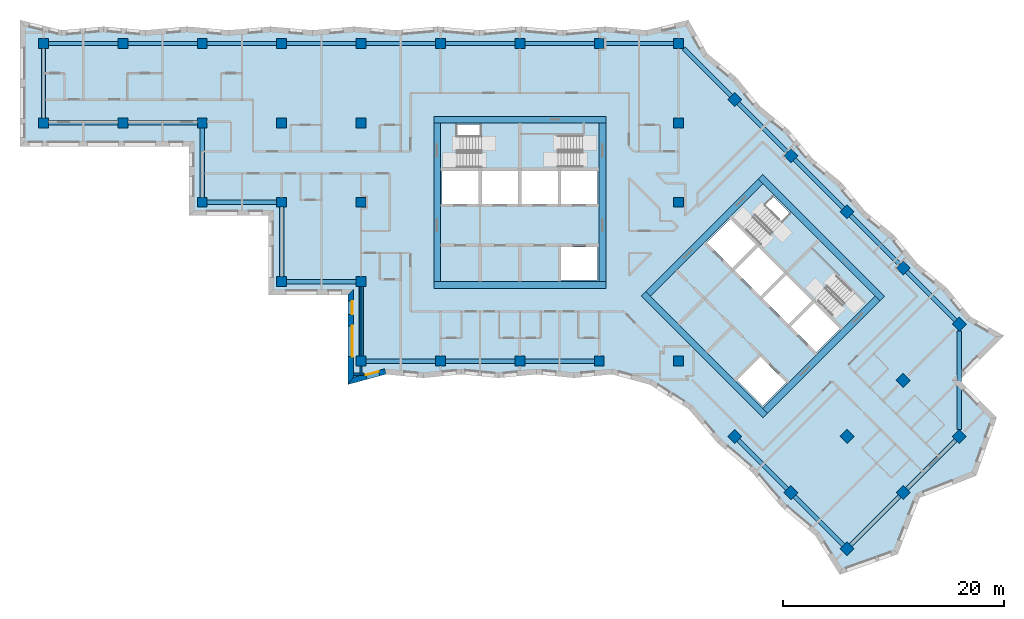
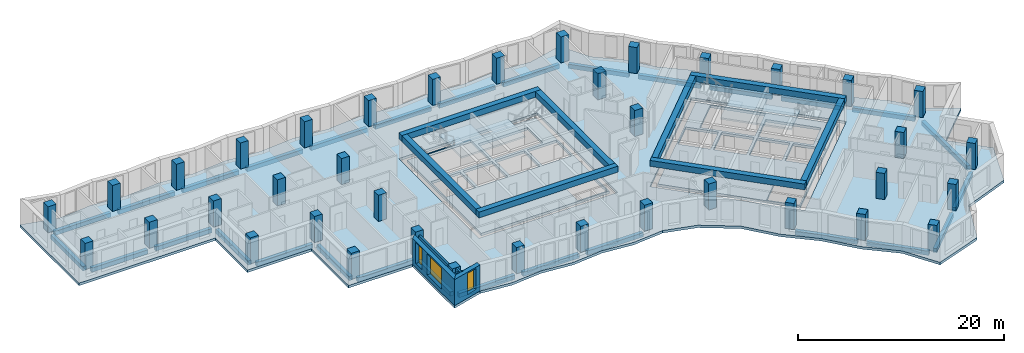
# One storey, part 1 of 12: 38 columns, 37 beams, 7 slabs, 5 walls, 3 windows, 19 openings, 4 elements without a shape of their own.
"""IFC4 building model written with IfcOpenShell, lengths in metres."""

from ifc_helpers import new_model, si_unit, direction, frame, frame_2d, origin, origin_2d, place, context, subcontext, project, spatial, polyline, rectangle, outline, extrude, material, layer, layer_set, material_profile, profile_set, type_object, element, fill, aggregate, save


model = new_model("IFC4")

# Units and contexts
model_context = context("Model", 3, precision=1e-05, world=origin(), true_north=direction((0.0, 1.0)))
body_context = subcontext(model_context, "Body", "Model", "MODEL_VIEW")
ifc_project = project(units=[si_unit("LENGTHUNIT", "METRE"), si_unit("AREAUNIT", "SQUARE_METRE"), si_unit("VOLUMEUNIT", "CUBIC_METRE"), si_unit("PLANEANGLEUNIT", "RADIAN"), si_unit("MASSUNIT", "GRAM", prefix="KILO")], contexts=[model_context])

# Site, building, storey
site_placement = place(None, origin())
site = spatial("IfcSite", under=ifc_project, at=site_placement, CompositionType="ELEMENT")
building_placement = place(site_placement, origin())
building = spatial("IfcBuilding", under=site, at=building_placement, Name="Windrow Commons", CompositionType="ELEMENT")
storey_placement = place(building_placement, frame((0.0, 0.0, 138.8)))
storey = spatial("IfcBuildingStorey", under=building, at=storey_placement, Name="L37", CompositionType="ELEMENT", Elevation=138.8)

# Columns
ifc_material_1 = material(Name="Concrete C50/60", Category="concrete")
ifc_material_profile_1 = material_profile(ifc_material_1, rectangle(XDim=0.9, YDim=0.9, at=origin_2d()))
ifc_profile_set_1 = profile_set([ifc_material_profile_1], Name="Concrete C50/60")
column_type = type_object("IfcColumnType", Name="RC COLUMN 900x900 C50/60", PredefinedType="COLUMN", material=ifc_profile_set_1)
for number, where, z_axis, x_axis, name in (
    (1, (21.6, 64.8, 0.0), (0.0, 0.0, 1.0), (1.0, 0.0, 0.0), "C-Z3-04I"),
    (2, (21.6, 72.0, 0.0), (0.0, 0.0, 1.0), (1.0, 0.0, 0.0), "C-Z3-04J"),
    (3, (28.8, 64.8, 0.0), (0.0, 0.0, 1.0), (1.0, 0.0, 0.0), "C-Z3-05I"),
    (4, (28.8, 72.0, 0.0), (0.0, 0.0, 1.0), (1.0, 0.0, 0.0), "C-Z3-05J"),
    (5, (36.0, 57.6, 0.0), (0.0, 0.0, 1.0), (1.0, 0.0, 0.0), "C-Z3-06H"),
    (6, (36.0, 64.8, 0.0), (0.0, 0.0, 1.0), (1.0, 0.0, 0.0), "C-Z3-06I"),
    (7, (36.0, 72.0, 0.0), (0.0, 0.0, 1.0), (1.0, 0.0, 0.0), "C-Z3-06J"),
    (8, (43.2, 50.4, 0.0), (0.0, 0.0, 1.0), (1.0, 0.0, 0.0), "C-Z3-07G"),
    (9, (43.2, 57.6, 0.0), (0.0, 0.0, 1.0), (1.0, 0.0, 0.0), "C-Z3-07H"),
    (10, (43.2, 64.8, 0.0), (0.0, 0.0, 1.0), (1.0, 0.0, 0.0), "C-Z3-07I"),
    (11, (43.2, 72.0, 0.0), (0.0, 0.0, 1.0), (1.0, 0.0, 0.0), "C-Z3-07J"),
    (12, (50.4, 43.2, 0.0), (0.0, 0.0, 1.0), (1.0, 0.0, 0.0), "C-Z3-08F"),
    (13, (50.4, 50.4, 0.0), (0.0, 0.0, 1.0), (1.0, 0.0, 0.0), "C-Z3-08G"),
    (14, (50.4, 57.6, 0.0), (0.0, 0.0, 1.0), (1.0, 0.0, 0.0), "C-Z3-08H"),
    (15, (50.4, 64.8, 0.0), (0.0, 0.0, 1.0), (1.0, 0.0, 0.0), "C-Z3-08I"),
    (16, (50.4, 72.0, 0.0), (0.0, 0.0, 1.0), (1.0, 0.0, 0.0), "C-Z3-08J"),
    (17, (57.6, 43.2, 0.0), (0.0, 0.0, 1.0), (1.0, 0.0, 0.0), "C-Z3-09F"),
    (18, (57.6, 72.0, 0.0), (0.0, 0.0, 1.0), (1.0, 0.0, 0.0), "C-Z3-09J"),
    (19, (64.8, 43.2, 0.0), (0.0, 0.0, 1.0), (1.0, 0.0, 0.0), "C-Z3-10F"),
    (20, (64.8, 72.0, 0.0), (0.0, 0.0, 1.0), (1.0, 0.0, 0.0), "C-Z3-10J"),
    (21, (72.0, 43.2, 0.0), (0.0, 0.0, 1.0), (1.0, 0.0, 0.0), "C-Z3-11F"),
    (22, (72.0, 72.0, 0.0), (0.0, 0.0, 1.0), (1.0, 0.0, 0.0), "C-Z3-11J"),
    (23, (79.2, 43.2, 0.0), (0.0, 0.0, 1.0), (1.0, 0.0, 0.0), "C-Z3-12F"),
    (24, (79.2, 57.6, 0.0), (0.0, 0.0, 1.0), (1.0, 0.0, 0.0), "C-Z3-12H"),
    (25, (79.2, 64.8, 0.0), (0.0, 0.0, 1.0), (1.0, 0.0, 0.0), "C-Z3-12I"),
    (26, (79.2, 72.0, 0.0), (0.0, 0.0, 1.0), (1.0, 0.0, 0.0), "C-Z3-12J"),
    (27, (84.2912, 66.9088, 0.0), (0.0, 0.0, 1.0), (0.7071067812, -0.7071067812, 0.0), "C-Z3-P2Q"),
    (28, (89.3823, 61.8177, 0.0), (0.0, 0.0, 1.0), (0.7071067812, -0.7071067812, 0.0), "C-Z3-P3Q"),
    (29, (94.4735, 56.7265, 0.0), (0.0, 0.0, 1.0), (0.7071067812, -0.7071067812, 0.0), "C-Z3-P4Q"),
    (30, (99.5647, 51.6353, 0.0), (0.0, 0.0, 1.0), (0.7071067812, -0.7071067812, 0.0), "C-Z3-P5Q"),
    (31, (84.2912, 36.3618, 0.0), (0.0, 0.0, 1.0), (0.7071067812, -0.7071067812, 0.0), "C-Z3-P5T"),
    (32, (104.6558, 46.5442, 0.0), (0.0, 0.0, 1.0), (0.7071067812, -0.7071067812, 0.0), "C-Z3-P6Q"),
    (33, (99.5647, 41.453, 0.0), (0.0, 0.0, 1.0), (0.7071067812, -0.7071067812, 0.0), "C-Z3-P6R"),
    (34, (94.4735, 36.3618, 0.0), (0.0, 0.0, 1.0), (0.7071067812, -0.7071067812, 0.0), "C-Z3-P6S"),
    (35, (89.3823, 31.2706, 0.0), (0.0, 0.0, 1.0), (0.7071067812, -0.7071067812, 0.0), "C-Z3-P6T"),
    (36, (104.6558, 36.3618, 0.0), (0.0, 0.0, 1.0), (0.7071067812, -0.7071067812, 0.0), "C-Z3-P7R"),
    (37, (99.5647, 31.2706, 0.0), (0.0, 0.0, 1.0), (0.7071067812, -0.7071067812, 0.0), "C-Z3-P7S"),
    (38, (94.4735, 26.1795, 0.0), (0.0, 0.0, 1.0), (0.7071067812, -0.7071067812, 0.0), "C-Z3-P7T"),
):
    element("IfcColumn", number, at=place(storey_placement, frame(where, z_axis=z_axis, x_axis=x_axis)), inside=storey, type_object=column_type, Name=name, PredefinedType="COLUMN", context=body_context, shape_type="SweptSolid", body=[
        extrude(rectangle(XDim=0.9, YDim=0.9, at=origin_2d()), origin(), (0.0, 0.0, 1.0), 3.1),
    ])

# Beams
ifc_material_2 = material(Name="Concrete C50/60", Category="concrete")
ifc_material_profile_2 = material_profile(ifc_material_2, rectangle(XDim=0.6, YDim=0.7, at=origin_2d()))
ifc_profile_set_2 = profile_set([ifc_material_profile_2], Name="Concrete C50/60")
beam_type_1 = type_object("IfcBeamType", Name="RC COUPLING BEAM 600x700 C50/60", PredefinedType="LINTEL", material=ifc_profile_set_2)
for number, where, z_axis, x_axis, name in (
    (39, (57.0, 50.1, 2.75), (1.0, 0.0, 0.0), (0.0, 1.0, 0.0), "Core A coupling beam outer-S"),
    (40, (57.0, 65.1, 2.75), (1.0, 0.0, 0.0), (0.0, 1.0, 0.0), "Core A coupling beam outer-N"),
):
    element("IfcBeam", number, at=place(storey_placement, frame(where, z_axis=z_axis, x_axis=x_axis)), inside=storey, type_object=beam_type_1, Name=name, PredefinedType="LINTEL", context=body_context, shape_type="SweptSolid", body=[
        extrude(rectangle(XDim=0.6, YDim=0.7, at=origin_2d()), origin(), (0.0, 0.0, 1.0), 15.6),
    ])
for number, where, z_axis, x_axis, name in (
    (41, (57.3, 50.4, 2.75), (0.0, 1.0, 0.0), (-1.0, 0.0, 0.0), "Core A coupling beam outer-W"),
    (42, (72.3, 50.4, 2.75), (0.0, 1.0, 0.0), (-1.0, 0.0, 0.0), "Core A coupling beam outer-E"),
):
    element("IfcBeam", number, at=place(storey_placement, frame(where, z_axis=z_axis, x_axis=x_axis)), inside=storey, type_object=beam_type_1, Name=name, PredefinedType="LINTEL", context=body_context, shape_type="SweptSolid", body=[
        extrude(rectangle(XDim=0.6, YDim=0.7, at=origin_2d()), origin(), (0.0, 0.0, 1.0), 14.4),
    ])
for number, where, z_axis, x_axis, name in (
    (43, (76.018, 49.3019, 2.75), (0.7071067812, -0.7071067812, 0.0), (0.7071067812, 0.7071067812, 0.0), "Core B coupling beam outer-S"),
    (44, (86.6246, 59.9085, 2.75), (0.7071067812, -0.7071067812, 0.0), (0.7071067812, 0.7071067812, 0.0), "Core B coupling beam outer-N"),
):
    element("IfcBeam", number, at=place(storey_placement, frame(where, z_axis=z_axis, x_axis=x_axis)), inside=storey, type_object=beam_type_1, Name=name, PredefinedType="LINTEL", context=body_context, shape_type="SweptSolid", body=[
        extrude(rectangle(XDim=0.6, YDim=0.7, at=origin_2d()), origin(), (0.0, 0.0, 1.0), 15.6),
    ])
for number, where, z_axis, x_axis, name in (
    (45, (76.4423, 49.3019, 2.75), (0.7071067812, 0.7071067812, 0.0), (-0.7071067812, 0.7071067812, 0.0), "Core B coupling beam outer-W"),
    (46, (87.0489, 38.6953, 2.75), (0.7071067812, 0.7071067812, 0.0), (-0.7071067812, 0.7071067812, 0.0), "Core B coupling beam outer-E"),
):
    element("IfcBeam", number, at=place(storey_placement, frame(where, z_axis=z_axis, x_axis=x_axis)), inside=storey, type_object=beam_type_1, Name=name, PredefinedType="LINTEL", context=body_context, shape_type="SweptSolid", body=[
        extrude(rectangle(XDim=0.6, YDim=0.7, at=origin_2d()), origin(), (0.0, 0.0, 1.0), 14.3999),
    ])
ifc_material_3 = material(Name="Concrete C50/60", Category="concrete")
ifc_material_profile_3 = material_profile(ifc_material_3, rectangle(XDim=0.4, YDim=0.5, at=origin_2d()))
ifc_profile_set_3 = profile_set([ifc_material_profile_3], Name="Concrete C50/60")
beam_type_2 = type_object("IfcBeamType", Name="RC EDGE BEAM 400x500 C50/60", PredefinedType="SPANDREL", material=ifc_profile_set_3)
for number, where, z_axis, x_axis, name in (
    (47, (36.0, 58.05, -0.55), (0.0, 1.0, 0.0), (-1.0, 0.0, 0.0), "Edge beam L37 001"),
    (48, (35.55, 64.8, -0.55), (-1.0, 0.0, 0.0), (0.0, -1.0, 0.0), "Edge beam L37 002"),
    (49, (28.35, 64.8, -0.55), (-1.0, 0.0, 0.0), (0.0, -1.0, 0.0), "Edge beam L37 003"),
    (50, (21.6, 65.25, -0.55), (0.0, 1.0, 0.0), (-1.0, 0.0, 0.0), "Edge beam L37 004"),
    (51, (22.05, 72.0, -0.55), (1.0, 0.0, 0.0), (0.0, 1.0, 0.0), "Edge beam L37 005"),
    (52, (29.25, 72.0, -0.55), (1.0, 0.0, 0.0), (0.0, 1.0, 0.0), "Edge beam L37 006"),
    (53, (36.45, 72.0, -0.55), (1.0, 0.0, 0.0), (0.0, 1.0, 0.0), "Edge beam L37 007"),
    (54, (43.65, 72.0, -0.55), (1.0, 0.0, 0.0), (0.0, 1.0, 0.0), "Edge beam L37 008"),
    (55, (50.85, 72.0, -0.55), (1.0, 0.0, 0.0), (0.0, 1.0, 0.0), "Edge beam L37 009"),
    (56, (58.05, 72.0, -0.55), (1.0, 0.0, 0.0), (0.0, 1.0, 0.0), "Edge beam L37 010"),
    (57, (65.25, 72.0, -0.55), (1.0, 0.0, 0.0), (0.0, 1.0, 0.0), "Edge beam L37 011"),
    (58, (72.45, 72.0, -0.55), (1.0, 0.0, 0.0), (0.0, 1.0, 0.0), "Edge beam L37 012"),
):
    element("IfcBeam", number, at=place(storey_placement, frame(where, z_axis=z_axis, x_axis=x_axis)), inside=storey, type_object=beam_type_2, Name=name, PredefinedType="SPANDREL", context=body_context, shape_type="SweptSolid", body=[
        extrude(rectangle(XDim=0.4, YDim=0.5, at=origin_2d()), origin(), (0.0, 0.0, 1.0), 6.3),
    ])
beam_1_placement = place(storey_placement, frame((79.65, 71.55, -0.55), z_axis=(0.7071067812, -0.7071067812, 0.0), x_axis=(0.7071067812, 0.7071067812, 0.0)))
element("IfcBeam", 59, at=beam_1_placement, inside=storey, type_object=beam_type_2, Name="Edge beam L37 013", PredefinedType="SPANDREL", context=body_context, shape_type="SweptSolid", body=[
    extrude(rectangle(XDim=0.4, YDim=0.5, at=origin_2d()), origin(), (0.0, 0.0, 1.0), 6.1136),
])
beam_2_placement = place(storey_placement, frame((84.6094, 66.5906, -0.55), z_axis=(0.7071067812, -0.7071067812, 0.0), x_axis=(0.7071067812, 0.7071067812, 0.0)))
element("IfcBeam", 60, at=beam_2_placement, inside=storey, type_object=beam_type_2, Name="Edge beam L37 014", PredefinedType="SPANDREL", context=body_context, shape_type="SweptSolid", body=[
    extrude(rectangle(XDim=0.4, YDim=0.5, at=origin_2d()), origin(), (0.0, 0.0, 1.0), 6.2999),
])
for number, where, z_axis, x_axis, name in (
    (61, (89.7005, 61.4995, -0.55), (0.7071067812, -0.7071067812, 0.0), (0.7071067812, 0.7071067812, 0.0), "Edge beam L37 015"),
    (62, (94.7917, 56.4083, -0.55), (0.7071067812, -0.7071067812, 0.0), (0.7071067812, 0.7071067812, 0.0), "Edge beam L37 016"),
):
    element("IfcBeam", number, at=place(storey_placement, frame(where, z_axis=z_axis, x_axis=x_axis)), inside=storey, type_object=beam_type_2, Name=name, PredefinedType="SPANDREL", context=body_context, shape_type="SweptSolid", body=[
        extrude(rectangle(XDim=0.4, YDim=0.5, at=origin_2d()), origin(), (0.0, 0.0, 1.0), 6.3),
    ])
beam_3_placement = place(storey_placement, frame((99.8829, 51.3171, -0.55), z_axis=(0.7071067812, -0.7071067812, 0.0), x_axis=(0.7071067812, 0.7071067812, 0.0)))
element("IfcBeam", 63, at=beam_3_placement, inside=storey, type_object=beam_type_2, Name="Edge beam L37 017", PredefinedType="SPANDREL", context=body_context, shape_type="SweptSolid", body=[
    extrude(rectangle(XDim=0.4, YDim=0.5, at=origin_2d()), origin(), (0.0, 0.0, 1.0), 6.2999),
])
beam_4_placement = place(storey_placement, frame((104.6558, 45.9078, -0.55), z_axis=(0.0, -1.0, 0.0), x_axis=(1.0, 0.0, 0.0)))
element("IfcBeam", 64, at=beam_4_placement, inside=storey, type_object=beam_type_2, Name="Edge beam L37 018", PredefinedType="SPANDREL", context=body_context, shape_type="SweptSolid", body=[
    extrude(rectangle(XDim=0.4, YDim=0.5, at=origin_2d()), origin(), (0.0, 0.0, 1.0), 8.9096),
])
for number, where, z_axis, x_axis, name in (
    (65, (104.3376, 36.0436, -0.55), (-0.7070988446, -0.7071147177, 0.0), (0.7071147177, -0.7070988446, 0.0), "Edge beam L37 019"),
    (66, (99.2465, 30.9524, -0.55), (-0.7071147177, -0.7070988446, 0.0), (0.7070988446, -0.7071147177, 0.0), "Edge beam L37 020"),
    (67, (94.1553, 26.4977, -0.55), (-0.7071147177, 0.7070988446, 0.0), (-0.7070988446, -0.7071147177, 0.0), "Edge beam L37 021"),
    (68, (89.0641, 31.5888, -0.55), (-0.7070988446, 0.7071147177, 0.0), (-0.7071147177, -0.7070988446, 0.0), "Edge beam L37 022"),
    (69, (71.55, 43.2, -0.55), (-1.0, 0.0, 0.0), (0.0, -1.0, 0.0), "Edge beam L37 023"),
    (70, (64.35, 43.2, -0.55), (-1.0, 0.0, 0.0), (0.0, -1.0, 0.0), "Edge beam L37 024"),
    (71, (57.15, 43.2, -0.55), (-1.0, 0.0, 0.0), (0.0, -1.0, 0.0), "Edge beam L37 025"),
    (72, (50.4, 43.65, -0.55), (0.0, 1.0, 0.0), (-1.0, 0.0, 0.0), "Edge beam L37 026"),
    (73, (49.95, 50.4, -0.55), (-1.0, 0.0, 0.0), (0.0, -1.0, 0.0), "Edge beam L37 027"),
    (74, (43.2, 50.85, -0.55), (0.0, 1.0, 0.0), (-1.0, 0.0, 0.0), "Edge beam L37 028"),
    (75, (42.75, 57.6, -0.55), (-1.0, 0.0, 0.0), (0.0, -1.0, 0.0), "Edge beam L37 029"),
):
    element("IfcBeam", number, at=place(storey_placement, frame(where, z_axis=z_axis, x_axis=x_axis)), inside=storey, type_object=beam_type_2, Name=name, PredefinedType="SPANDREL", context=body_context, shape_type="SweptSolid", body=[
        extrude(rectangle(XDim=0.4, YDim=0.5, at=origin_2d()), origin(), (0.0, 0.0, 1.0), 6.3),
    ])

# Slab, openings
ifc_material_4 = material(Name="Concrete C50/60", Category="concrete")
ifc_layer_1 = layer(ifc_material_4, 0.3)
ifc_layer_set_1 = layer_set([ifc_layer_1], Name="CORE FLOOR SLAB 300 C50/60")
slab_type_1 = type_object("IfcSlabType", Name="CORE FLOOR SLAB 300 C50/60", PredefinedType="FLOOR", material=ifc_layer_set_1)
placement_1 = place(storey_placement, frame((0.0, 0.0, -0.3)))
slab_1 = element("IfcSlab", 76, at=placement_1, inside=storey, type_object=slab_type_1, Name="S-L37-core-A", PredefinedType="FLOOR", context=body_context, shape_type="SweptSolid", body=[
    extrude(outline(polyline([(57.6, 50.4), (72.0, 50.4), (72.0, 64.8), (57.6, 64.8), (57.6, 50.4)]), holes=[polyline([(68.55, 50.55), (71.85, 50.55), (71.85, 53.55), (68.55, 53.55), (68.55, 50.55)]), polyline([(57.75, 57.45), (61.05, 57.45), (61.05, 60.45), (57.75, 60.45), (57.75, 57.45)]), polyline([(61.35, 57.45), (64.65, 57.45), (64.65, 60.45), (61.35, 60.45), (61.35, 57.45)]), polyline([(64.95, 57.45), (68.25, 57.45), (68.25, 60.45), (64.95, 60.45), (64.95, 57.45)]), polyline([(68.55, 57.45), (71.85, 57.45), (71.85, 60.45), (68.55, 60.45), (68.55, 57.45)]), polyline([(59.1, 60.75), (64.65, 60.75), (64.65, 64.65), (59.1, 64.65), (59.1, 60.75)]), polyline([(64.95, 60.75), (70.5, 60.75), (70.5, 63.705), (64.95, 63.705), (64.95, 60.75)])]), origin(), (0.0, 0.0, 1.0), 0.3),
])
opening_1_placement = place(placement_1, origin())
element("IfcOpeningElement", 77, at=opening_1_placement, cuts=slab_1, Name="Slab opening S-L37-core-A 1", PredefinedType="OPENING", context=body_context, shape_type="SweptSolid", body=[
    extrude(outline(polyline([(68.555, 50.555), (68.555, 53.545), (71.845, 53.545), (71.845, 50.555), (68.555, 50.555)])), origin(), (0.0, 0.0, 1.0), 0.3),
])
opening_2_placement = place(placement_1, origin())
element("IfcOpeningElement", 78, at=opening_2_placement, cuts=slab_1, Name="Slab opening S-L37-core-A 2", PredefinedType="OPENING", context=body_context, shape_type="SweptSolid", body=[
    extrude(outline(polyline([(57.755, 57.455), (57.755, 60.445), (61.045, 60.445), (61.045, 57.455), (57.755, 57.455)])), origin(), (0.0, 0.0, 1.0), 0.3),
])
opening_3_placement = place(placement_1, origin())
element("IfcOpeningElement", 79, at=opening_3_placement, cuts=slab_1, Name="Slab opening S-L37-core-A 3", PredefinedType="OPENING", context=body_context, shape_type="SweptSolid", body=[
    extrude(outline(polyline([(61.355, 57.455), (61.355, 60.445), (64.645, 60.445), (64.645, 57.455), (61.355, 57.455)])), origin(), (0.0, 0.0, 1.0), 0.3),
])
opening_4_placement = place(placement_1, origin())
element("IfcOpeningElement", 80, at=opening_4_placement, cuts=slab_1, Name="Slab opening S-L37-core-A 4", PredefinedType="OPENING", context=body_context, shape_type="SweptSolid", body=[
    extrude(outline(polyline([(64.955, 57.455), (64.955, 60.445), (68.245, 60.445), (68.245, 57.455), (64.955, 57.455)])), origin(), (0.0, 0.0, 1.0), 0.3),
])
opening_5_placement = place(placement_1, origin())
element("IfcOpeningElement", 81, at=opening_5_placement, cuts=slab_1, Name="Slab opening S-L37-core-A 5", PredefinedType="OPENING", context=body_context, shape_type="SweptSolid", body=[
    extrude(outline(polyline([(68.555, 57.455), (68.555, 60.445), (71.845, 60.445), (71.845, 57.455), (68.555, 57.455)])), origin(), (0.0, 0.0, 1.0), 0.3),
])
opening_6_placement = place(placement_1, origin())
element("IfcOpeningElement", 82, at=opening_6_placement, cuts=slab_1, Name="Slab opening S-L37-core-A 6", PredefinedType="OPENING", context=body_context, shape_type="SweptSolid", body=[
    extrude(outline(polyline([(59.105, 60.755), (59.105, 64.645), (64.645, 64.645), (64.645, 60.755), (59.105, 60.755)])), origin(), (0.0, 0.0, 1.0), 0.3),
])
opening_7_placement = place(placement_1, origin())
element("IfcOpeningElement", 83, at=opening_7_placement, cuts=slab_1, Name="Slab opening S-L37-core-A 7", PredefinedType="OPENING", context=body_context, shape_type="SweptSolid", body=[
    extrude(outline(polyline([(64.955, 60.755), (64.955, 63.7), (70.495, 63.7), (70.495, 60.755), (64.955, 60.755)])), origin(), (0.0, 0.0, 1.0), 0.3),
])

slab_2 = element("IfcSlab", 84, at=placement_1, inside=storey, type_object=slab_type_1, Name="S-L37-core-B", PredefinedType="FLOOR", context=body_context, shape_type="SweptSolid", body=[
    extrude(outline(polyline([(76.6544, 49.0897), (86.8368, 38.9074), (97.0191, 49.0897), (86.8368, 59.2721), (76.6544, 49.0897)]), holes=[polyline([(84.5033, 41.453), (86.8368, 39.1195), (88.9581, 41.2409), (86.6246, 43.5743), (84.5033, 41.453)]), polyline([(81.7456, 53.9688), (84.079, 51.6353), (86.2004, 53.7566), (83.8669, 56.0901), (81.7456, 53.9688)]), polyline([(84.2912, 51.4232), (86.6246, 49.0897), (88.7459, 51.2111), (86.4125, 53.5445), (84.2912, 51.4232)]), polyline([(86.8368, 48.8776), (89.1702, 46.5442), (91.2915, 48.6655), (88.9581, 50.9989), (86.8368, 48.8776)]), polyline([(89.3823, 46.332), (91.7158, 43.9986), (93.8371, 46.1199), (91.5037, 48.4533), (89.3823, 46.332)]), polyline([(85.0336, 55.3476), (88.9581, 51.4232), (91.7158, 54.1809), (87.7913, 58.1054), (85.0336, 55.3476)]), polyline([(89.1702, 51.2111), (93.0946, 47.2866), (95.1841, 49.3761), (91.2597, 53.3006), (89.1702, 51.2111)])]), origin(), (0.0, 0.0, 1.0), 0.3),
])
opening_8_placement = place(placement_1, origin())
element("IfcOpeningElement", 85, at=opening_8_placement, cuts=slab_2, Name="Slab opening S-L37-core-B 1", PredefinedType="OPENING", context=body_context, shape_type="SweptSolid", body=[
    extrude(outline(polyline([(84.5104, 41.453), (86.6246, 43.5672), (88.951, 41.2409), (86.8368, 39.1266), (84.5104, 41.453)])), origin(), (0.0, 0.0, 1.0), 0.3),
])
opening_9_placement = place(placement_1, origin())
element("IfcOpeningElement", 86, at=opening_9_placement, cuts=slab_2, Name="Slab opening S-L37-core-B 2", PredefinedType="OPENING", context=body_context, shape_type="SweptSolid", body=[
    extrude(outline(polyline([(81.7527, 53.9688), (83.8669, 56.083), (86.1933, 53.7566), (84.079, 51.6424), (81.7527, 53.9688)])), origin(), (0.0, 0.0, 1.0), 0.3),
])
opening_10_placement = place(placement_1, origin())
element("IfcOpeningElement", 87, at=opening_10_placement, cuts=slab_2, Name="Slab opening S-L37-core-B 3", PredefinedType="OPENING", context=body_context, shape_type="SweptSolid", body=[
    extrude(outline(polyline([(84.2983, 51.4232), (86.4125, 53.5374), (88.7388, 51.2111), (86.6246, 49.0968), (84.2983, 51.4232)])), origin(), (0.0, 0.0, 1.0), 0.3),
])
opening_11_placement = place(placement_1, origin())
element("IfcOpeningElement", 88, at=opening_11_placement, cuts=slab_2, Name="Slab opening S-L37-core-B 4", PredefinedType="OPENING", context=body_context, shape_type="SweptSolid", body=[
    extrude(outline(polyline([(86.8439, 48.8776), (88.9581, 50.9918), (91.2844, 48.6655), (89.1702, 46.5513), (86.8439, 48.8776)])), origin(), (0.0, 0.0, 1.0), 0.3),
])
opening_12_placement = place(placement_1, origin())
element("IfcOpeningElement", 89, at=opening_12_placement, cuts=slab_2, Name="Slab opening S-L37-core-B 5", PredefinedType="OPENING", context=body_context, shape_type="SweptSolid", body=[
    extrude(outline(polyline([(89.3894, 46.332), (91.5037, 48.4462), (93.83, 46.1199), (91.7158, 44.0057), (89.3894, 46.332)])), origin(), (0.0, 0.0, 1.0), 0.3),
])
opening_13_placement = place(placement_1, origin())
element("IfcOpeningElement", 90, at=opening_13_placement, cuts=slab_2, Name="Slab opening S-L37-core-B 6", PredefinedType="OPENING", context=body_context, shape_type="SweptSolid", body=[
    extrude(outline(polyline([(85.0407, 55.3476), (87.7913, 58.0983), (91.7087, 54.1809), (88.9581, 51.4303), (85.0407, 55.3476)])), origin(), (0.0, 0.0, 1.0), 0.3),
])
opening_14_placement = place(placement_1, origin())
element("IfcOpeningElement", 91, at=opening_14_placement, cuts=slab_2, Name="Slab opening S-L37-core-B 7", PredefinedType="OPENING", context=body_context, shape_type="SweptSolid", body=[
    extrude(outline(polyline([(89.1773, 51.2111), (91.2597, 53.2935), (95.177, 49.3761), (93.0946, 47.2937), (89.1773, 51.2111)])), origin(), (0.0, 0.0, 1.0), 0.3),
])

# Stair, slab
ifc_material_5 = material(Name="Concrete C40/50", Category="concrete")
stair_type = type_object("IfcStairType", Name="Core stair", PredefinedType="HALF_TURN_STAIR", material=ifc_material_5)
placement_2 = place(storey_placement, origin())
stair_1 = element("IfcStair", 92, at=placement_2, inside=storey, type_object=stair_type, Name="L37 Exit stair A1 core A", PredefinedType="HALF_TURN_STAIR")
ifc_material_6 = material(Name="Concrete C40/50", Category="concrete")
ifc_layer_2 = layer(ifc_material_6, 0.2)
ifc_layer_set_2 = layer_set([ifc_layer_2], Name="Core stair landing")
slab_type_2 = type_object("IfcSlabType", Name="Core stair landing", PredefinedType="LANDING", material=ifc_layer_set_2)
placement_3 = place(storey_placement, frame((0.0, 0.0, 1.5)))
slab_3 = element("IfcSlab", 93, at=placement_3, type_object=slab_type_2, Name="ST-A1 landing 1", PredefinedType="LANDING", context=body_context, shape_type="SweptSolid", body=[
    extrude(outline(polyline([(61.22, 60.5), (64.8, 60.5), (64.8, 64.9), (61.22, 64.9), (61.22, 60.5)])), origin(), (0.0, 0.0, 1.0), 0.2),
])
aggregate(stair_1, [slab_3])

stair_2 = element("IfcStair", 94, at=placement_2, inside=storey, type_object=stair_type, Name="L37 Exit stair A2 core A", PredefinedType="HALF_TURN_STAIR")
slab_4 = element("IfcSlab", 95, at=placement_3, type_object=slab_type_2, Name="ST-A2 landing 1", PredefinedType="LANDING", context=body_context, shape_type="SweptSolid", body=[
    extrude(outline(polyline([(64.8, 60.5), (68.38, 60.5), (68.38, 63.855), (64.8, 63.855), (64.8, 60.5)])), origin(), (0.0, 0.0, 1.0), 0.2),
])
aggregate(stair_2, [slab_4])

stair_3 = element("IfcStair", 96, at=placement_2, inside=storey, type_object=stair_type, Name="L37 Exit stair B1 core B", PredefinedType="HALF_TURN_STAIR")
slab_5 = element("IfcSlab", 97, at=placement_3, type_object=slab_type_2, Name="ST-B1 landing 1", PredefinedType="LANDING", context=body_context, shape_type="SweptSolid", body=[
    extrude(outline(polyline([(86.3559, 53.6718), (88.8874, 51.1403), (91.9986, 54.2516), (89.4672, 56.7831), (86.3559, 53.6718)])), origin(), (0.0, 0.0, 1.0), 0.2),
])
aggregate(stair_3, [slab_5])

stair_4 = element("IfcStair", 98, at=placement_2, inside=storey, type_object=stair_type, Name="L37 Exit stair B2 core B", PredefinedType="HALF_TURN_STAIR")
slab_6 = element("IfcSlab", 99, at=placement_3, type_object=slab_type_2, Name="ST-B2 landing 1", PredefinedType="LANDING", context=body_context, shape_type="SweptSolid", body=[
    extrude(outline(polyline([(88.8874, 51.1403), (91.4188, 48.6089), (93.7911, 50.9812), (91.2597, 53.5127), (88.8874, 51.1403)])), origin(), (0.0, 0.0, 1.0), 0.2),
])
aggregate(stair_4, [slab_6])

# Slab, openings
ifc_material_7 = material(Name="Concrete C50/60", Category="concrete")
ifc_layer_3 = layer(ifc_material_7, 0.3)
ifc_layer_set_3 = layer_set([ifc_layer_3], Name="FLOOR SLAB 300 C50/60")
slab_type_3 = type_object("IfcSlabType", Name="FLOOR SLAB 300 C50/60", PredefinedType="FLOOR", material=ifc_layer_set_3)
slab_7 = element("IfcSlab", 100, at=placement_1, inside=storey, type_object=slab_type_3, Name="S-L37-floor", PredefinedType="FLOOR", context=body_context, shape_type="SweptSolid", body=[
    extrude(outline(polyline([(91.5993, 27.3566), (93.8159, 23.8248), (99.0715, 25.6863), (101.0744, 30.8004), (106.1885, 32.8033), (108.05, 38.0589), (104.6558, 41.453), (108.7076, 45.5047), (105.6646, 47.2325), (103.5125, 49.8513), (100.8937, 52.0034), (98.7416, 54.6222), (96.1228, 56.7743), (93.9707, 59.3931), (91.3519, 61.5452), (89.1998, 64.164), (86.581, 66.3161), (84.4289, 68.9349), (81.8102, 71.0869), (80.0823, 74.13), (76.294, 73.2), (72.5058, 73.53), (68.7175, 73.2), (64.9292, 73.53), (61.141, 73.2), (57.3527, 73.53), (53.5644, 73.2), (49.7762, 73.53), (45.9879, 73.2), (42.1996, 73.53), (38.4113, 73.2), (34.6231, 73.53), (30.8348, 73.2), (27.0465, 73.53), (23.2583, 73.2), (19.47, 74.13), (19.47, 62.67), (34.8, 62.67), (34.8, 56.4), (42.0, 56.4), (42.0, 49.2), (49.2, 49.2), (49.2, 41.07), (52.6213, 42.0), (56.0427, 41.67), (59.464, 42.0), (62.8853, 41.67), (66.3067, 42.0), (69.728, 41.67), (73.1493, 42.0), (76.5707, 41.07), (80.1025, 38.8534), (82.7433, 35.7459), (85.8509, 33.105), (88.4918, 29.9975), (91.5993, 27.3566)]), holes=[polyline([(75.8059, 49.0897), (86.8368, 60.1206), (97.8676, 49.0897), (86.8368, 38.0589), (75.8059, 49.0897)]), polyline([(57.0, 49.8), (57.0, 65.4), (72.6, 65.4), (72.6, 49.8), (57.0, 49.8)])]), origin(), (0.0, 0.0, 1.0), 0.3),
])
opening_15_placement = place(placement_1, origin())
element("IfcOpeningElement", 101, at=opening_15_placement, cuts=slab_7, Name="Slab opening S-L37-floor 1", PredefinedType="OPENING", context=body_context, shape_type="SweptSolid", body=[
    extrude(outline(polyline([(75.813, 49.0897), (86.8368, 60.1135), (97.8605, 49.0897), (86.8368, 38.066), (75.813, 49.0897)])), origin(), (0.0, 0.0, 1.0), 0.3),
])
opening_16_placement = place(placement_1, origin())
element("IfcOpeningElement", 102, at=opening_16_placement, cuts=slab_7, Name="Slab opening S-L37-floor 2", PredefinedType="OPENING", context=body_context, shape_type="SweptSolid", body=[
    extrude(outline(polyline([(57.005, 49.805), (57.005, 65.395), (72.595, 65.395), (72.595, 49.805), (57.005, 49.805)])), origin(), (0.0, 0.0, 1.0), 0.3),
])

# Wall, openings, windows
ifc_material_8 = material(Name="Brick masonry, red clay brick", Category="masonry")
ifc_layer_4 = layer(ifc_material_8, 0.5)
ifc_layer_set_4 = layer_set([ifc_layer_4], Name="Brick facade wall 500")
wall_type_1 = type_object("IfcWallType", Name="Brick facade wall 500", PredefinedType="SOLIDWALL", material=ifc_layer_set_4)
wall_1_placement = place(storey_placement, frame((49.45, 49.45, 0.0), z_axis=(0.0, 0.0, 1.0), x_axis=(0.0, -1.0, 0.0)))
wall_1 = element("IfcWall", 103, at=wall_1_placement, inside=storey, type_object=wall_type_1, Name="Brick facade wall L37 41", PredefinedType="SOLIDWALL", context=body_context, shape_type="SweptSolid", body=[
    extrude(outline(polyline([(0.25, -0.25), (8.38, -0.25), (7.7259, 0.25), (-0.25, 0.25), (0.25, -0.25)])), origin(), (0.0, 0.0, 1.0), 3.1),
])
opening_17_placement = place(wall_1_placement, frame((3.05, 0.0, 0.45)))
opening_17 = element("IfcOpeningElement", 104, at=opening_17_placement, cuts=wall_1, Name="Opening W1U", PredefinedType="OPENING", context=body_context, shape_type="SweptSolid", body=[
    extrude(rectangle(XDim=2.8, YDim=2.5, at=frame_2d((1.4, 1.25))), frame((0.0, 0.26, 0.0), z_axis=(0.0, -1.0, 0.0), x_axis=(1.0, 0.0, 0.0)), (0.0, 0.0, 1.0), 0.52),
])
opening_18_placement = place(wall_1_placement, frame((0.825, 0.0, 0.45)))
opening_18 = element("IfcOpeningElement", 105, at=opening_18_placement, cuts=wall_1, Name="Opening W7E", PredefinedType="OPENING", context=body_context, shape_type="SweptSolid", body=[
    extrude(rectangle(XDim=1.2, YDim=2.5, at=frame_2d((0.6, 1.25))), frame((0.0, 0.26, 0.0), z_axis=(0.0, -1.0, 0.0), x_axis=(1.0, 0.0, 0.0)), (0.0, 0.0, 1.0), 0.52),
])
ifc_material_9 = material(Name="Clear float glass in anodised aluminium frame", Category="aluminium")
window_type_1 = type_object("IfcWindowType", Name="Window W1U bedroom 2800x2500", PartitioningType="SINGLE_PANEL", PredefinedType="WINDOW", material=ifc_material_9)
window_1_placement = place(opening_17_placement, origin())
window_1 = element("IfcWindow", 106, at=window_1_placement, inside=storey, type_object=window_type_1, Name="Window L37 41.1", OverallHeight=2.5, OverallWidth=2.8, PartitioningType="SINGLE_PANEL", PredefinedType="WINDOW", context=body_context, shape_type="SweptSolid", body=[
    extrude(rectangle(XDim=2.8, YDim=2.5, at=frame_2d((1.4, 1.25))), frame((0.0, 0.18, 0.0), z_axis=(0.0, -1.0, 0.0), x_axis=(1.0, 0.0, 0.0)), (0.0, 0.0, 1.0), 0.06),
])
fill(opening_17, window_1)
ifc_material_10 = material(Name="Clear float glass in anodised aluminium frame", Category="aluminium")
window_type_2 = type_object("IfcWindowType", Name="Window W7 notch 1200x2500", PartitioningType="SINGLE_PANEL", PredefinedType="WINDOW", material=ifc_material_10)
window_2_placement = place(opening_18_placement, origin())
window_2 = element("IfcWindow", 107, at=window_2_placement, inside=storey, type_object=window_type_2, Name="Window L37 41.2", OverallHeight=2.5, OverallWidth=1.2, PartitioningType="SINGLE_PANEL", PredefinedType="WINDOW", context=body_context, shape_type="SweptSolid", body=[
    extrude(rectangle(XDim=1.2, YDim=2.5, at=frame_2d((0.6, 1.25))), frame((0.0, 0.18, 0.0), z_axis=(0.0, -1.0, 0.0), x_axis=(1.0, 0.0, 0.0)), (0.0, 0.0, 1.0), 0.06),
])
fill(opening_18, window_2)

# Wall, opening, window
wall_2_placement = place(storey_placement, frame((49.45, 41.397, 0.0), z_axis=(0.0, 0.0, 1.0), x_axis=(0.9649861719, 0.2623007589, 0.0)))
wall_2 = element("IfcWall", 108, at=wall_2_placement, inside=storey, type_object=wall_type_1, Name="Brick facade wall L37 42", PredefinedType="SOLIDWALL", context=body_context, shape_type="SweptSolid", body=[
    extrude(outline(polyline([(-0.327, -0.25), (3.2185, -0.25), (3.3098, 0.25), (0.327, 0.25), (-0.327, -0.25)])), origin(), (0.0, 0.0, 1.0), 3.1),
])
opening_19_placement = place(wall_2_placement, frame((1.4743, 0.0, 0.45)))
opening_19 = element("IfcOpeningElement", 109, at=opening_19_placement, cuts=wall_2, Name="Opening W7E", PredefinedType="OPENING", context=body_context, shape_type="SweptSolid", body=[
    extrude(rectangle(XDim=1.2, YDim=2.5, at=frame_2d((0.6, 1.25))), frame((0.0, 0.26, 0.0), z_axis=(0.0, -1.0, 0.0), x_axis=(1.0, 0.0, 0.0)), (0.0, 0.0, 1.0), 0.52),
])
window_3_placement = place(opening_19_placement, origin())
window_3 = element("IfcWindow", 110, at=window_3_placement, inside=storey, type_object=window_type_2, Name="Window L37 42.1", OverallHeight=2.5, OverallWidth=1.2, PartitioningType="SINGLE_PANEL", PredefinedType="WINDOW", context=body_context, shape_type="SweptSolid", body=[
    extrude(rectangle(XDim=1.2, YDim=2.5, at=frame_2d((0.6, 1.25))), frame((0.0, 0.18, 0.0), z_axis=(0.0, -1.0, 0.0), x_axis=(1.0, 0.0, 0.0)), (0.0, 0.0, 1.0), 0.06),
])
fill(opening_19, window_3)

# Walls
ifc_material_11 = material(Name="Blockwork partition", Category="masonry")
ifc_layer_5 = layer(ifc_material_11, 0.2)
ifc_layer_set_5 = layer_set([ifc_layer_5], Name="IW-PARTY-200")
wall_type_2 = type_object("IfcWallType", Name="IW-PARTY-200", PredefinedType="PARTITIONING", material=ifc_layer_set_5)
wall_3_placement = place(storey_placement, frame((50.4, 43.65, 0.0), z_axis=(0.0, 0.0, 1.0), x_axis=(0.0, 1.0, 0.0)))
element("IfcWall", 111, at=wall_3_placement, inside=storey, type_object=wall_type_2, Name="W-L37-W021", PredefinedType="PARTITIONING", context=body_context, shape_type="SweptSolid", body=[
    extrude(rectangle(XDim=6.3, YDim=0.2, at=frame_2d((3.15, 0.0))), origin(), (0.0, 0.0, 1.0), 2.6),
])
wall_4_placement = place(storey_placement, frame((49.7, 42.0, 0.0), z_axis=(0.0, 0.0, 1.0), x_axis=(1.0, 0.0, 0.0)))
element("IfcWall", 112, at=wall_4_placement, inside=storey, type_object=wall_type_2, Name="W-L37-W149", PredefinedType="PARTITIONING", context=body_context, shape_type="SweptSolid", body=[
    extrude(rectangle(XDim=0.9652, YDim=0.2, at=frame_2d((0.4826, 0.0))), origin(), (0.0, 0.0, 1.0), 3.1),
])
wall_5_placement = place(storey_placement, frame((50.4, 41.9143, 0.0), z_axis=(0.0, 0.0, 1.0), x_axis=(0.0, 1.0, 0.0)))
element("IfcWall", 113, at=wall_5_placement, inside=storey, type_object=wall_type_2, Name="W-L37-W150", PredefinedType="PARTITIONING", context=body_context, shape_type="SweptSolid", body=[
    extrude(rectangle(XDim=0.8357, YDim=0.2, at=frame_2d((0.4178, 0.0))), origin(), (0.0, 0.0, 1.0), 3.1),
])

save(model, "model.ifc")
